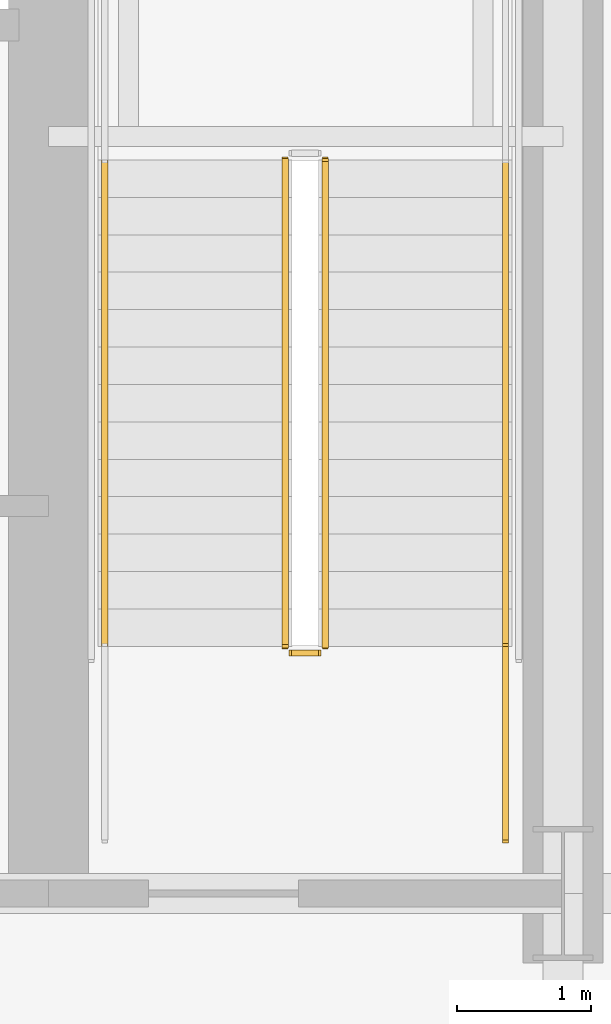
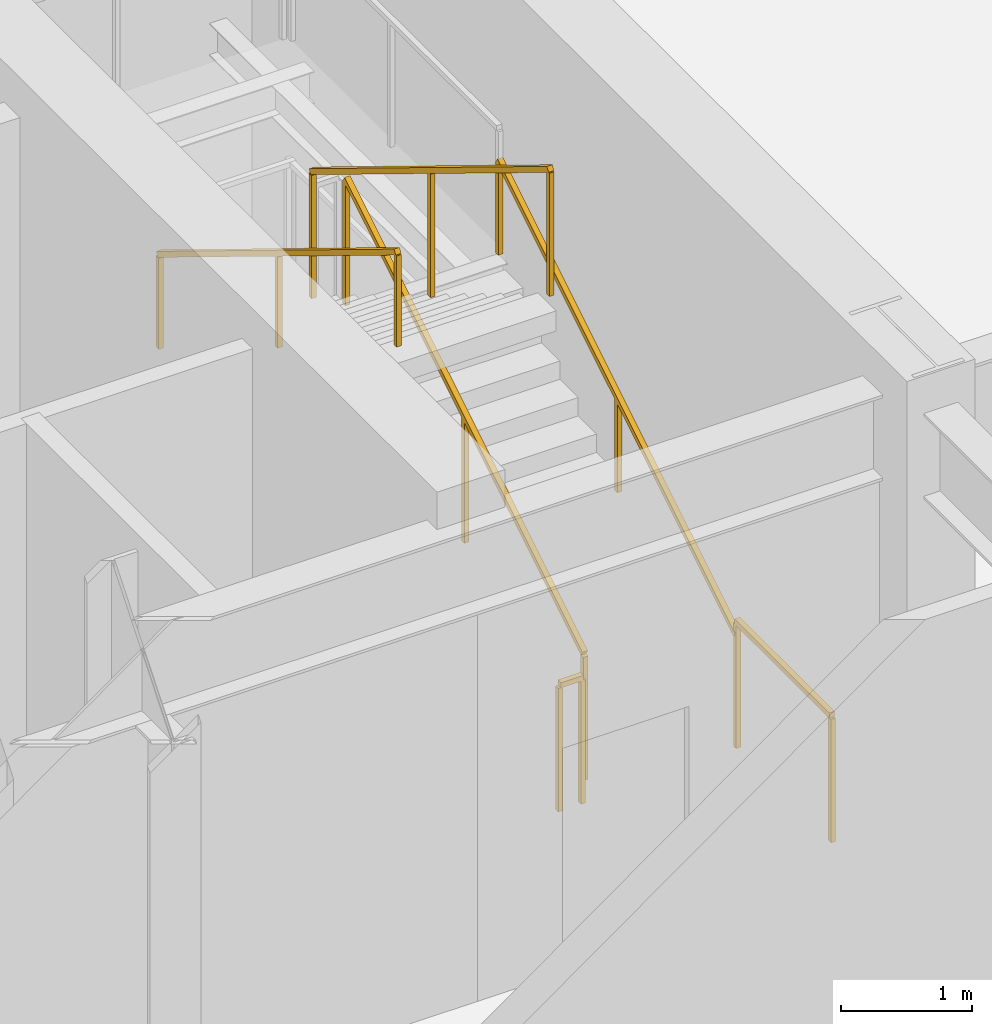
# One storey, part 27 of 35: 6 railings.
"""IFC4 building model written with IfcOpenShell, lengths in metres."""

from ifc_helpers import new_model, si_unit, direction, frame, origin, origin_2d, place, context, subcontext, project, spatial, rectangle, extrude, material, type_object, element, save


model = new_model("IFC4")

# Units and contexts
model_context = context("Model", 3, precision=1e-05, world=origin(), true_north=direction((0.0, 1.0)))
body_context = subcontext(model_context, "Body", "Model", "MODEL_VIEW")
ifc_project = project(units=[si_unit("LENGTHUNIT", "METRE"), si_unit("AREAUNIT", "SQUARE_METRE"), si_unit("VOLUMEUNIT", "CUBIC_METRE"), si_unit("PLANEANGLEUNIT", "RADIAN"), si_unit("MASSUNIT", "GRAM", prefix="KILO")], contexts=[model_context])

# Site, building, storey
site_placement = place(None, origin())
site = spatial("IfcSite", under=ifc_project, at=site_placement, CompositionType="ELEMENT")
building_placement = place(site_placement, origin())
building = spatial("IfcBuilding", under=site, at=building_placement, Name="Haevon Station Towers", CompositionType="ELEMENT")
storey_placement = place(building_placement, frame((0.0, 0.0, 20.39990234375)))
storey = spatial("IfcBuildingStorey", under=building, at=storey_placement, Name="L04", CompositionType="ELEMENT", Elevation=20.39990234375)

# Railings
ifc_material = material(Name="Steel S355", Category="steel")
railing_type_1 = type_object("IfcRailingType", Name="GRD-STR1200", PredefinedType="GUARDRAIL", material=ifc_material)
railing_1_placement = place(storey_placement, frame((49.219970703125, 40.050048828125, 0.171630859375)))
element("IfcRailing", 1, at=railing_1_placement, inside=storey, type_object=railing_type_1, Name="L04 ST2 Stair Guard 1", PredefinedType="GUARDRAIL", context=body_context, shape_type="SweptSolid", body=[
    extrude(rectangle(XDim=0.048095703125, YDim=0.048095703125, at=origin_2d()), frame((0.0, 0.0, 1.17578125), z_axis=(0.0, 0.852850264322, 0.5221555579), x_axis=(-1.0, 0.0, 0.0)), (0.0, 0.0, 1.0), 4.267822265625),
    extrude(rectangle(XDim=0.0419921875, YDim=0.0419921875, at=origin_2d()), origin(), (0.0, 0.0, 1.0), 1.15185546875),
    extrude(rectangle(XDim=0.0419921875, YDim=0.0419921875, at=origin_2d()), frame((0.0, 1.81982421875, 1.1142578125)), (0.0, 0.0, 1.0), 1.15185546875),
    extrude(rectangle(XDim=0.0419921875, YDim=0.0419921875, at=origin_2d()), frame((0.0, 3.639892578125, 2.228515625)), (0.0, 0.0, 1.0), 1.15185546875),
])
railing_2_placement = place(storey_placement, frame((48.919921875, 43.68994140625, 2.571533203125)))
element("IfcRailing", 2, at=railing_2_placement, inside=storey, type_object=railing_type_1, Name="L04 ST2 Stair Guard 6", PredefinedType="GUARDRAIL", context=body_context, shape_type="SweptSolid", body=[
    extrude(rectangle(XDim=0.048095703125, YDim=0.048095703125, at=origin_2d()), frame((0.0, 0.0, 1.17578125), z_axis=(0.0, -0.852850264322, 0.5221555579), x_axis=(1.0, 0.0, 0.0)), (0.0, 0.0, 1.0), 4.267822265625),
    extrude(rectangle(XDim=0.0419921875, YDim=0.0419921875, at=origin_2d()), origin(), (0.0, 0.0, 1.0), 1.15185546875),
    extrude(rectangle(XDim=0.0419921875, YDim=0.0419921875, at=origin_2d()), frame((0.0, -1.81982421875, 1.1142578125)), (0.0, 0.0, 1.0), 1.15185546875),
    extrude(rectangle(XDim=0.0419921875, YDim=0.0419921875, at=origin_2d()), frame((0.0, -3.639892578125, 2.228515625)), (0.0, 0.0, 1.0), 1.15185546875),
])
railing_3_placement = place(storey_placement, frame((49.169921875, 40.0, 0.0)))
element("IfcRailing", 3, at=railing_3_placement, inside=storey, type_object=railing_type_1, Name="L04 ST2 Stair Guard 7", PredefinedType="GUARDRAIL", context=body_context, shape_type="SweptSolid", body=[
    extrude(rectangle(XDim=0.048095703125, YDim=0.048095703125, at=origin_2d()), frame((0.0, 0.0, 1.17578125), z_axis=(-1.0, 0.0, 0.0), x_axis=(0.0, -1.0, 0.0)), (0.0, 0.0, 1.0), 0.199951171875),
    extrude(rectangle(XDim=0.0419921875, YDim=0.0419921875, at=origin_2d()), origin(), (0.0, 0.0, 1.0), 1.15185546875),
    extrude(rectangle(XDim=0.0419921875, YDim=0.0419921875, at=origin_2d()), frame((-0.199951171875, 0.0, 0.0)), (0.0, 0.0, 1.0), 1.15185546875),
])
railing_4_placement = place(storey_placement, frame((50.570068359375, 38.60009765625, 0.0)))
element("IfcRailing", 4, at=railing_4_placement, inside=storey, type_object=railing_type_1, Name="L04 ST2 Stair Guard 8", PredefinedType="GUARDRAIL", context=body_context, shape_type="SweptSolid", body=[
    extrude(rectangle(XDim=0.048095703125, YDim=0.048095703125, at=origin_2d()), frame((0.0, 0.0, 1.17578125), z_axis=(0.0, 1.0, 0.0), x_axis=(-1.0, 0.0, 0.0)), (0.0, 0.0, 1.0), 1.449951171875),
    extrude(rectangle(XDim=0.0419921875, YDim=0.0419921875, at=origin_2d()), origin(), (0.0, 0.0, 1.0), 1.15185546875),
    extrude(rectangle(XDim=0.0419921875, YDim=0.0419921875, at=origin_2d()), frame((0.0, 1.449951171875, 0.0)), (0.0, 0.0, 1.0), 1.15185546875),
])
railing_type_2 = type_object("IfcRailingType", Name="HND-STR900", PredefinedType="HANDRAIL", material=ifc_material)
railing_5_placement = place(storey_placement, frame((50.570068359375, 40.050048828125, 0.171630859375)))
element("IfcRailing", 5, at=railing_5_placement, inside=storey, type_object=railing_type_2, Name="L04 ST2 Stair Handrail 1", PredefinedType="HANDRAIL", context=body_context, shape_type="SweptSolid", body=[
    extrude(rectangle(XDim=0.048095703125, YDim=0.048095703125, at=origin_2d()), frame((0.0, 0.0, 0.8759765625), z_axis=(0.0, 0.852850264322, 0.5221555579), x_axis=(-1.0, 0.0, 0.0)), (0.0, 0.0, 1.0), 4.267822265625),
    extrude(rectangle(XDim=0.0419921875, YDim=0.0419921875, at=origin_2d()), origin(), (0.0, 0.0, 1.0), 0.851806640625),
    extrude(rectangle(XDim=0.0419921875, YDim=0.0419921875, at=origin_2d()), frame((0.0, 1.81982421875, 1.1142578125)), (0.0, 0.0, 1.0), 0.851806640625),
    extrude(rectangle(XDim=0.0419921875, YDim=0.0419921875, at=origin_2d()), frame((0.0, 3.639892578125, 2.228515625)), (0.0, 0.0, 1.0), 0.851806640625),
])
railing_6_placement = place(storey_placement, frame((47.570068359375, 43.68994140625, 2.571533203125)))
element("IfcRailing", 6, at=railing_6_placement, inside=storey, type_object=railing_type_2, Name="L04 ST2 Stair Handrail 2", PredefinedType="HANDRAIL", context=body_context, shape_type="SweptSolid", body=[
    extrude(rectangle(XDim=0.048095703125, YDim=0.048095703125, at=origin_2d()), frame((0.0, 0.0, 0.8759765625), z_axis=(0.0, -0.852850264322, 0.5221555579), x_axis=(1.0, 0.0, 0.0)), (0.0, 0.0, 1.0), 4.267822265625),
    extrude(rectangle(XDim=0.0419921875, YDim=0.0419921875, at=origin_2d()), origin(), (0.0, 0.0, 1.0), 0.851806640625),
    extrude(rectangle(XDim=0.0419921875, YDim=0.0419921875, at=origin_2d()), frame((0.0, -1.81982421875, 1.1142578125)), (0.0, 0.0, 1.0), 0.851806640625),
    extrude(rectangle(XDim=0.0419921875, YDim=0.0419921875, at=origin_2d()), frame((0.0, -3.639892578125, 2.228515625)), (0.0, 0.0, 1.0), 0.851806640625),
])

save(model, "model.ifc")
